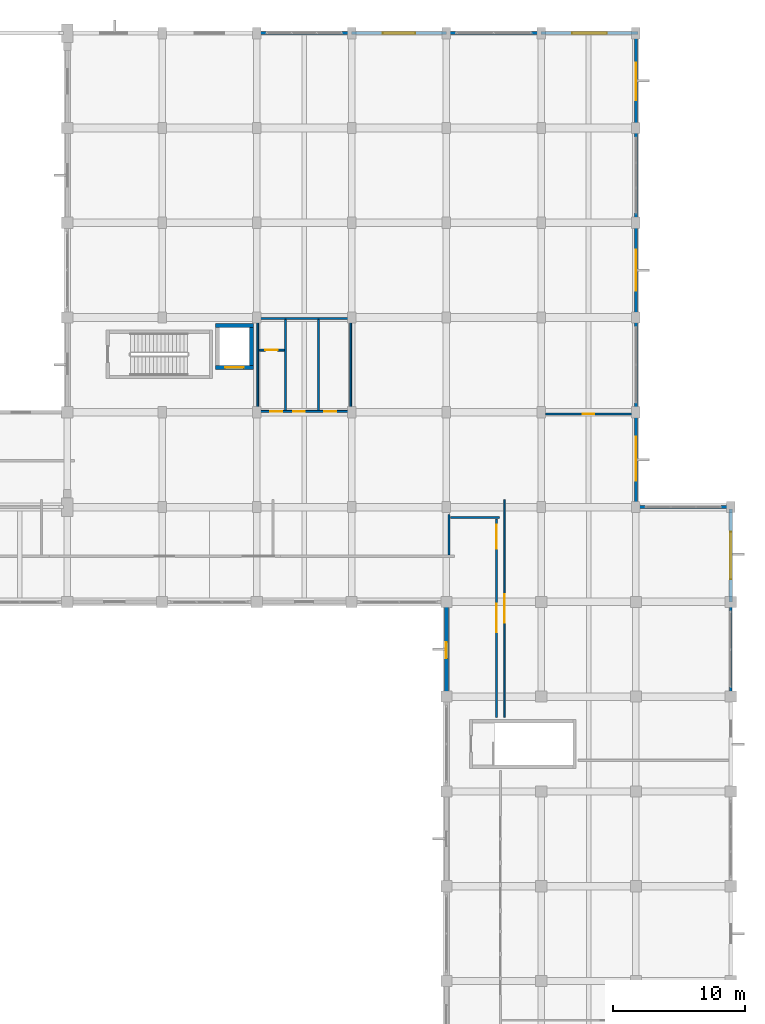
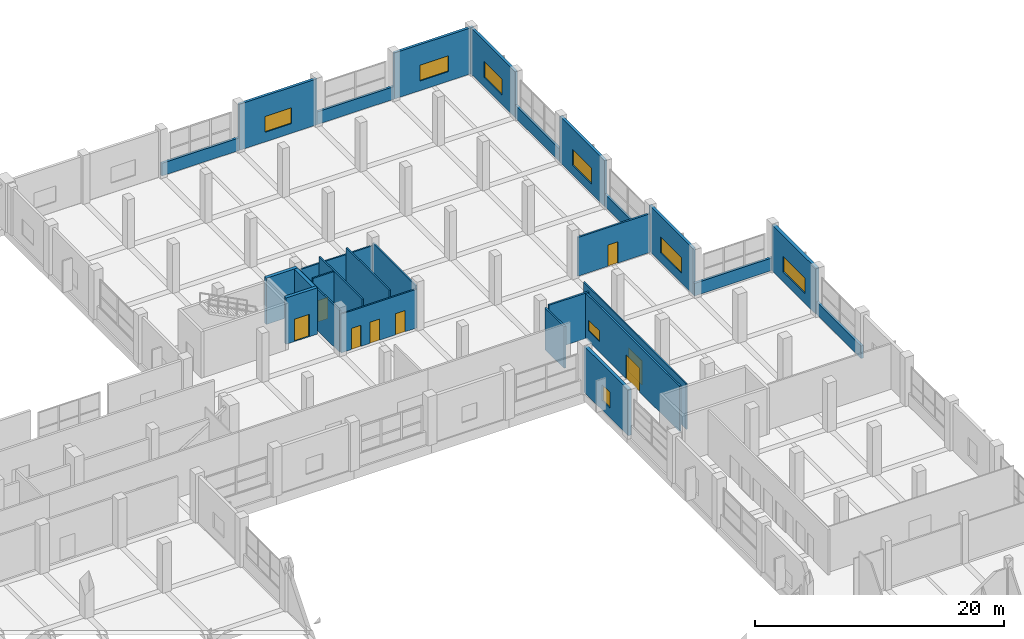
# One storey, part 167 of 181: 28 walls, 8 doors, 8 windows, 16 openings.
"""IFC4 building model written with IfcOpenShell, lengths in metres."""

from ifc_helpers import new_model, si_unit, direction, frame, frame_2d, origin, place, context, subcontext, project, spatial, rectangle, extrude, material, layer, layer_set, type_object, element, fill, save


model = new_model("IFC4")

# Units and contexts
model_context = context("Model", 3, precision=1e-05, world=origin(), true_north=direction((0.0, 1.0)))
body_context = subcontext(model_context, "Body", "Model", "MODEL_VIEW")
ifc_project = project(units=[si_unit("LENGTHUNIT", "METRE"), si_unit("AREAUNIT", "SQUARE_METRE"), si_unit("VOLUMEUNIT", "CUBIC_METRE"), si_unit("PLANEANGLEUNIT", "RADIAN"), si_unit("MASSUNIT", "GRAM", prefix="KILO")], contexts=[model_context])

# Site, building, storey
site_placement = place(None, origin())
site = spatial("IfcSite", under=ifc_project, at=site_placement, CompositionType="ELEMENT")
building_placement = place(site_placement, origin())
building = spatial("IfcBuilding", under=site, at=building_placement, Name="Seraya Terrace Polytechnic", CompositionType="ELEMENT")
storey_placement = place(building_placement, frame((0.0, 0.0, 4.800048828125)))
storey = spatial("IfcBuildingStorey", under=building, at=storey_placement, Name="L01", CompositionType="ELEMENT", Elevation=4.800048828125)

# Wall, opening, window
ifc_material_1 = material(Name="Concrete C40/50", Category="concrete")
ifc_layer_1 = layer(ifc_material_1, 0.300048828125, Name="EW-01")
ifc_layer_set_1 = layer_set([ifc_layer_1], Name="Concrete C40/50")
wall_type_1 = type_object("IfcWallType", Name="EW-01", PredefinedType="SOLIDWALL", material=ifc_layer_set_1)
wall_1_placement = place(storey_placement, frame((165.60009765625, 79.048095703125, 0.0), z_axis=(0.0, 0.0, 1.0), x_axis=(0.0, -1.0, 0.0)))
wall_1 = element("IfcWall", 1, at=wall_1_placement, inside=storey, type_object=wall_type_1, Name="Exterior structural wall EW-01 L01", PredefinedType="SOLIDWALL", context=body_context, shape_type="SweptSolid", body=[
    extrude(rectangle(XDim=7.048095703125, YDim=0.300048828125, at=frame_2d((3.52392578125, 0.0))), origin(), (0.0, 0.0, 1.0), 4.52001953125),
])
opening_1_placement = place(wall_1_placement, frame((1.72412109375, 0.0, 0.949951171875)))
opening_1 = element("IfcOpeningElement", 2, at=opening_1_placement, cuts=wall_1, Name="Opening WN-26", PredefinedType="OPENING", context=body_context, shape_type="SweptSolid", body=[
    extrude(rectangle(XDim=3.60009765625, YDim=1.550048828125, at=frame_2d((1.800048828125, 0.77490234375))), frame((0.0, 0.162109375, 0.0), z_axis=(0.0, -1.0, 0.0), x_axis=(1.0, 0.0, 0.0)), (0.0, 0.0, 1.0), 0.323974609375),
])
ifc_material_2 = material(Name="Laminated solar-control Low-E double glazing", Category="glass")
window_type_1 = type_object("IfcWindowType", Name="WN-26", PartitioningType="SINGLE_PANEL", PredefinedType="WINDOW", material=ifc_material_2)
window_1_placement = place(opening_1_placement, origin())
window_1 = element("IfcWindow", 3, at=window_1_placement, inside=storey, type_object=window_type_1, Name="Exterior window WN-26 L01", OverallHeight=1.550048828125, OverallWidth=3.60009765625, PartitioningType="SINGLE_PANEL", PredefinedType="WINDOW", context=body_context, shape_type="SweptSolid", body=[
    extrude(rectangle(XDim=3.60009765625, YDim=1.550048828125, at=frame_2d((1.800048828125, 0.77490234375))), frame((0.0, 0.030029296875, 0.0), z_axis=(0.0, -1.0, 0.0), x_axis=(1.0, 0.0, 0.0)), (0.0, 0.0, 1.0), 0.06005859375),
])
fill(opening_1, window_1)

wall_2_placement = place(storey_placement, frame((144.0, 64.800048828125, 0.0), z_axis=(0.0, 0.0, 1.0), x_axis=(0.0, 1.0, 0.0)))
wall_2 = element("IfcWall", 4, at=wall_2_placement, inside=storey, type_object=wall_type_1, Name="Exterior structural wall EW-01 L01", PredefinedType="SOLIDWALL", context=body_context, shape_type="SweptSolid", body=[
    extrude(rectangle(XDim=7.0478515625, YDim=0.300048828125, at=frame_2d((3.52392578125, 0.0))), origin(), (0.0, 0.0, 1.0), 4.52001953125),
])
opening_2_placement = place(wall_2_placement, frame((2.89892578125, 0.0, 0.949951171875)))
opening_2 = element("IfcOpeningElement", 5, at=opening_2_placement, cuts=wall_2, Name="Opening WN-14", PredefinedType="OPENING", context=body_context, shape_type="SweptSolid", body=[
    extrude(rectangle(XDim=1.25, YDim=1.550048828125, at=frame_2d((0.625, 0.77490234375))), frame((0.0, 0.162109375, 0.0), z_axis=(0.0, -1.0, 0.0), x_axis=(1.0, 0.0, 0.0)), (0.0, 0.0, 1.0), 0.323974609375),
])
window_type_2 = type_object("IfcWindowType", Name="WN-14", PartitioningType="SINGLE_PANEL", PredefinedType="WINDOW", material=ifc_material_2)
window_2_placement = place(opening_2_placement, origin())
window_2 = element("IfcWindow", 6, at=window_2_placement, inside=storey, type_object=window_type_2, Name="Exterior window WN-14 L01", OverallHeight=1.550048828125, OverallWidth=1.25, PartitioningType="SINGLE_PANEL", PredefinedType="WINDOW", context=body_context, shape_type="SweptSolid", body=[
    extrude(rectangle(XDim=1.25, YDim=1.550048828125, at=frame_2d((0.625, 0.77490234375))), frame((0.0, 0.030029296875, 0.0), z_axis=(0.0, -1.0, 0.0), x_axis=(1.0, 0.0, 0.0)), (0.0, 0.0, 1.0), 0.06005859375),
])
fill(opening_2, window_2)

ifc_layer_2 = layer(ifc_material_1, 0.239990234375, Name="EW-04")
ifc_layer_set_2 = layer_set([ifc_layer_2], Name="Concrete C40/50")
wall_type_2 = type_object("IfcWallType", Name="EW-04", PredefinedType="SOLIDWALL", material=ifc_layer_set_2)
wall_3_placement = place(storey_placement, frame((136.800048828125, 115.199951171875, 0.0), z_axis=(0.0, 0.0, 1.0), x_axis=(1.0, 0.0, 0.0)))
wall_3 = element("IfcWall", 7, at=wall_3_placement, inside=storey, type_object=wall_type_2, Name="Exterior structural wall EW-04 L01", PredefinedType="SOLIDWALL", context=body_context, shape_type="SweptSolid", body=[
    extrude(rectangle(XDim=7.199951171875, YDim=0.239990234375, at=frame_2d((3.60009765625, 0.0))), origin(), (0.0, 0.0, 1.0), 4.52001953125),
])
opening_3_placement = place(wall_3_placement, frame((2.375, 0.0, 0.949951171875)))
opening_3 = element("IfcOpeningElement", 8, at=opening_3_placement, cuts=wall_3, Name="Opening WN-21", PredefinedType="OPENING", context=body_context, shape_type="SweptSolid", body=[
    extrude(rectangle(XDim=2.449951171875, YDim=1.550048828125, at=frame_2d((1.22509765625, 0.77490234375))), frame((0.0, 0.1318359375, 0.0), z_axis=(0.0, -1.0, 0.0), x_axis=(1.0, 0.0, 0.0)), (0.0, 0.0, 1.0), 0.263916015625),
])
window_type_3 = type_object("IfcWindowType", Name="WN-21", PartitioningType="SINGLE_PANEL", PredefinedType="WINDOW", material=ifc_material_2)
window_3_placement = place(opening_3_placement, origin())
window_3 = element("IfcWindow", 9, at=window_3_placement, inside=storey, type_object=window_type_3, Name="Exterior window WN-21 L01", OverallHeight=1.550048828125, OverallWidth=2.449951171875, PartitioningType="SINGLE_PANEL", PredefinedType="WINDOW", context=body_context, shape_type="SweptSolid", body=[
    extrude(rectangle(XDim=2.449951171875, YDim=1.550048828125, at=frame_2d((1.22509765625, 0.77490234375))), frame((0.0, 0.030029296875, 0.0), z_axis=(0.0, -1.0, 0.0), x_axis=(1.0, 0.0, 0.0)), (0.0, 0.0, 1.0), 0.06005859375),
])
fill(opening_3, window_3)

wall_4_placement = place(storey_placement, frame((151.199951171875, 115.199951171875, 0.0), z_axis=(0.0, 0.0, 1.0), x_axis=(1.0, 0.0, 0.0)))
wall_4 = element("IfcWall", 10, at=wall_4_placement, inside=storey, type_object=wall_type_2, Name="Exterior structural wall EW-04 L01", PredefinedType="SOLIDWALL", context=body_context, shape_type="SweptSolid", body=[
    extrude(rectangle(XDim=7.35009765625, YDim=0.239990234375, at=frame_2d((3.675048828125, 0.0))), origin(), (0.0, 0.0, 1.0), 4.52001953125),
])
opening_4_placement = place(wall_4_placement, frame((2.35009765625, 0.0, 0.949951171875)))
opening_4 = element("IfcOpeningElement", 11, at=opening_4_placement, cuts=wall_4, Name="Opening WN-22", PredefinedType="OPENING", context=body_context, shape_type="SweptSolid", body=[
    extrude(rectangle(XDim=2.64990234375, YDim=1.550048828125, at=frame_2d((1.324951171875, 0.77490234375))), frame((0.0, 0.1318359375, 0.0), z_axis=(0.0, -1.0, 0.0), x_axis=(1.0, 0.0, 0.0)), (0.0, 0.0, 1.0), 0.263916015625),
])
window_type_4 = type_object("IfcWindowType", Name="WN-22", PartitioningType="SINGLE_PANEL", PredefinedType="WINDOW", material=ifc_material_2)
window_4_placement = place(opening_4_placement, origin())
window_4 = element("IfcWindow", 12, at=window_4_placement, inside=storey, type_object=window_type_4, Name="Exterior window WN-22 L01", OverallHeight=1.550048828125, OverallWidth=2.64990234375, PartitioningType="SINGLE_PANEL", PredefinedType="WINDOW", context=body_context, shape_type="SweptSolid", body=[
    extrude(rectangle(XDim=2.64990234375, YDim=1.550048828125, at=frame_2d((1.324951171875, 0.77490234375))), frame((0.0, 0.030029296875, 0.0), z_axis=(0.0, -1.0, 0.0), x_axis=(1.0, 0.0, 0.0)), (0.0, 0.0, 1.0), 0.06005859375),
])
fill(opening_4, window_4)

wall_5_placement = place(storey_placement, frame((158.39990234375, 115.048095703125, 0.0), z_axis=(0.0, 0.0, 1.0), x_axis=(0.0, -1.0, 0.0)))
wall_5 = element("IfcWall", 13, at=wall_5_placement, inside=storey, type_object=wall_type_2, Name="Exterior structural wall EW-04 L01", PredefinedType="SOLIDWALL", context=body_context, shape_type="SweptSolid", body=[
    extrude(rectangle(XDim=7.048095703125, YDim=0.239990234375, at=frame_2d((3.52392578125, 0.0))), origin(), (0.0, 0.0, 1.0), 4.52001953125),
])
opening_5_placement = place(wall_5_placement, frame((2.09912109375, 0.0, 0.949951171875)))
opening_5 = element("IfcOpeningElement", 14, at=opening_5_placement, cuts=wall_5, Name="Opening WN-23", PredefinedType="OPENING", context=body_context, shape_type="SweptSolid", body=[
    extrude(rectangle(XDim=2.85009765625, YDim=1.550048828125, at=frame_2d((1.425048828125, 0.77490234375))), frame((0.0, 0.1318359375, 0.0), z_axis=(0.0, -1.0, 0.0), x_axis=(1.0, 0.0, 0.0)), (0.0, 0.0, 1.0), 0.263916015625),
])
window_type_5 = type_object("IfcWindowType", Name="WN-23", PartitioningType="SINGLE_PANEL", PredefinedType="WINDOW", material=ifc_material_2)
window_5_placement = place(opening_5_placement, origin())
window_5 = element("IfcWindow", 15, at=window_5_placement, inside=storey, type_object=window_type_5, Name="Exterior window WN-23 L01", OverallHeight=1.550048828125, OverallWidth=2.85009765625, PartitioningType="SINGLE_PANEL", PredefinedType="WINDOW", context=body_context, shape_type="SweptSolid", body=[
    extrude(rectangle(XDim=2.85009765625, YDim=1.550048828125, at=frame_2d((1.425048828125, 0.77490234375))), frame((0.0, 0.030029296875, 0.0), z_axis=(0.0, -1.0, 0.0), x_axis=(1.0, 0.0, 0.0)), (0.0, 0.0, 1.0), 0.06005859375),
])
fill(opening_5, window_5)

wall_6_placement = place(storey_placement, frame((158.39990234375, 100.800048828125, 0.0), z_axis=(0.0, 0.0, 1.0), x_axis=(0.0, -1.0, 0.0)))
wall_6 = element("IfcWall", 16, at=wall_6_placement, inside=storey, type_object=wall_type_2, Name="Exterior structural wall EW-04 L01", PredefinedType="SOLIDWALL", context=body_context, shape_type="SweptSolid", body=[
    extrude(rectangle(XDim=7.199951171875, YDim=0.239990234375, at=frame_2d((3.60009765625, 0.0))), origin(), (0.0, 0.0, 1.0), 4.52001953125),
])
opening_6_placement = place(wall_6_placement, frame((2.050048828125, 0.0, 0.949951171875)))
opening_6 = element("IfcOpeningElement", 17, at=opening_6_placement, cuts=wall_6, Name="Opening WN-24", PredefinedType="OPENING", context=body_context, shape_type="SweptSolid", body=[
    extrude(rectangle(XDim=3.10009765625, YDim=1.550048828125, at=frame_2d((1.550048828125, 0.77490234375))), frame((0.0, 0.1318359375, 0.0), z_axis=(0.0, -1.0, 0.0), x_axis=(1.0, 0.0, 0.0)), (0.0, 0.0, 1.0), 0.263916015625),
])
window_type_6 = type_object("IfcWindowType", Name="WN-24", PartitioningType="SINGLE_PANEL", PredefinedType="WINDOW", material=ifc_material_2)
window_6_placement = place(opening_6_placement, origin())
window_6 = element("IfcWindow", 18, at=window_6_placement, inside=storey, type_object=window_type_6, Name="Exterior window WN-24 L01", OverallHeight=1.550048828125, OverallWidth=3.10009765625, PartitioningType="SINGLE_PANEL", PredefinedType="WINDOW", context=body_context, shape_type="SweptSolid", body=[
    extrude(rectangle(XDim=3.10009765625, YDim=1.550048828125, at=frame_2d((1.550048828125, 0.77490234375))), frame((0.0, 0.030029296875, 0.0), z_axis=(0.0, -1.0, 0.0), x_axis=(1.0, 0.0, 0.0)), (0.0, 0.0, 1.0), 0.06005859375),
])
fill(opening_6, window_6)

wall_7_placement = place(storey_placement, frame((158.39990234375, 86.39990234375, 0.0), z_axis=(0.0, 0.0, 1.0), x_axis=(0.0, -1.0, 0.0)))
wall_7 = element("IfcWall", 19, at=wall_7_placement, inside=storey, type_object=wall_type_2, Name="Exterior structural wall EW-04 L01", PredefinedType="SOLIDWALL", context=body_context, shape_type="SweptSolid", body=[
    extrude(rectangle(XDim=7.0478515625, YDim=0.239990234375, at=frame_2d((3.52392578125, 0.0))), origin(), (0.0, 0.0, 1.0), 4.52001953125),
])
opening_7_placement = place(wall_7_placement, frame((1.84912109375, 0.0, 0.949951171875)))
opening_7 = element("IfcOpeningElement", 20, at=opening_7_placement, cuts=wall_7, Name="Opening WN-25", PredefinedType="OPENING", context=body_context, shape_type="SweptSolid", body=[
    extrude(rectangle(XDim=3.35009765625, YDim=1.550048828125, at=frame_2d((1.675048828125, 0.77490234375))), frame((0.0, 0.1318359375, 0.0), z_axis=(0.0, -1.0, 0.0), x_axis=(1.0, 0.0, 0.0)), (0.0, 0.0, 1.0), 0.263916015625),
])
window_type_7 = type_object("IfcWindowType", Name="WN-25", PartitioningType="SINGLE_PANEL", PredefinedType="WINDOW", material=ifc_material_2)
window_7_placement = place(opening_7_placement, origin())
window_7 = element("IfcWindow", 21, at=window_7_placement, inside=storey, type_object=window_type_7, Name="Exterior window WN-25 L01", OverallHeight=1.550048828125, OverallWidth=3.35009765625, PartitioningType="SINGLE_PANEL", PredefinedType="WINDOW", context=body_context, shape_type="SweptSolid", body=[
    extrude(rectangle(XDim=3.35009765625, YDim=1.550048828125, at=frame_2d((1.675048828125, 0.77490234375))), frame((0.0, 0.030029296875, 0.0), z_axis=(0.0, -1.0, 0.0), x_axis=(1.0, 0.0, 0.0)), (0.0, 0.0, 1.0), 0.06005859375),
])
fill(opening_7, window_7)

# Walls
ifc_material_3 = material(Name="Precast concrete C40/50", Category="concrete")
ifc_layer_3 = layer(ifc_material_3, 0.219970703125, Name="EW-05")
ifc_layer_set_3 = layer_set([ifc_layer_3], Name="Precast concrete C40/50")
wall_type_3 = type_object("IfcWallType", Name="EW-05", PredefinedType="SOLIDWALL", material=ifc_layer_set_3)
for number, where, z_axis, x_axis, name in (
    (22, (129.60009765625, 115.199951171875, 0.0), (0.0, 0.0, 1.0), (1.0, 0.0, 0.0), "Precast spandrel wall L01"),
    (23, (144.0, 115.199951171875, 0.0), (0.0, 0.0, 1.0), (1.0, 0.0, 0.0), "Precast spandrel wall L01"),
    (24, (158.39990234375, 108.0, 0.0), (0.0, 0.0, 1.0), (0.0, -1.0, 0.0), "Precast spandrel wall L01"),
):
    element("IfcWall", number, at=place(storey_placement, frame(where, z_axis=z_axis, x_axis=x_axis)), inside=storey, type_object=wall_type_3, Name=name, PredefinedType="SOLIDWALL", context=body_context, shape_type="SweptSolid", body=[
        extrude(rectangle(XDim=7.199951171875, YDim=0.219970703125, at=frame_2d((3.60009765625, 0.0))), origin(), (0.0, 0.0, 1.0), 1.239990234375),
    ])
wall_8_placement = place(storey_placement, frame((158.39990234375, 93.60009765625, 0.0), z_axis=(0.0, 0.0, 1.0), x_axis=(0.0, -1.0, 0.0)))
element("IfcWall", 25, at=wall_8_placement, inside=storey, type_object=wall_type_3, Name="Precast spandrel wall L01", PredefinedType="SOLIDWALL", context=body_context, shape_type="SweptSolid", body=[
    extrude(rectangle(XDim=7.2001953125, YDim=0.219970703125, at=frame_2d((3.60009765625, 0.0))), origin(), (0.0, 0.0, 1.0), 1.239990234375),
])
wall_9_placement = place(storey_placement, frame((158.25, 79.199951171875, 0.0), z_axis=(0.0, 0.0, 1.0), x_axis=(1.0, 0.0, 0.0)))
element("IfcWall", 26, at=wall_9_placement, inside=storey, type_object=wall_type_3, Name="Precast spandrel wall L01", PredefinedType="SOLIDWALL", context=body_context, shape_type="SweptSolid", body=[
    extrude(rectangle(XDim=7.5, YDim=0.219970703125, at=frame_2d((3.75, 0.0))), origin(), (0.0, 0.0, 1.0), 1.239990234375),
])
wall_10_placement = place(storey_placement, frame((165.60009765625, 72.0, 0.0), z_axis=(0.0, 0.0, 1.0), x_axis=(0.0, -1.0, 0.0)))
element("IfcWall", 27, at=wall_10_placement, inside=storey, type_object=wall_type_3, Name="Precast spandrel wall L01", PredefinedType="SOLIDWALL", context=body_context, shape_type="SweptSolid", body=[
    extrude(rectangle(XDim=7.199951171875, YDim=0.219970703125, at=frame_2d((3.60009765625, 0.0))), origin(), (0.0, 0.0, 1.0), 1.239990234375),
])

# Wall, opening, door
ifc_material_4 = material(Name="Autoclaved aerated concrete blockwork", Category="masonry")
ifc_layer_4 = layer(ifc_material_4, 0.169921875, Name="PT-02")
ifc_layer_set_4 = layer_set([ifc_layer_4], Name="Autoclaved aerated concrete blockwork")
wall_type_4 = type_object("IfcWallType", Name="PT-02", PredefinedType="PARTITIONING", material=ifc_layer_set_4)
wall_11_placement = place(storey_placement, frame((151.534912109375, 86.27490234375, 0.0), z_axis=(0.0, 0.0, 1.0), x_axis=(1.0, 0.0, 0.0)))
wall_11 = element("IfcWall", 28, at=wall_11_placement, inside=storey, type_object=wall_type_4, Name="Internal partition PT-02 L01", PredefinedType="PARTITIONING", context=body_context, shape_type="SweptSolid", body=[
    extrude(rectangle(XDim=6.733154296875, YDim=0.169921875, at=frame_2d((3.36669921875, 0.0))), origin(), (0.0, 0.0, 1.0), 3.800048828125),
])
opening_8_placement = place(wall_11_placement, frame((2.81494140625, 0.0, 0.0)))
opening_8 = element("IfcOpeningElement", 29, at=opening_8_placement, cuts=wall_11, Name="Opening ID-02", PredefinedType="OPENING", context=body_context, shape_type="SweptSolid", body=[
    extrude(rectangle(XDim=0.89990234375, YDim=2.080078125, at=frame_2d((0.449951171875, 1.0400390625))), frame((0.0, 0.096923828125, 0.0), z_axis=(0.0, -1.0, 0.0), x_axis=(1.0, 0.0, 0.0)), (0.0, 0.0, 1.0), 0.19384765625),
])
ifc_material_5 = material(Name="Malaysian dark red meranti hardwood timber D40", Category="wood")
door_type_1 = type_object("IfcDoorType", Name="ID-02", OperationType="NOTDEFINED", PredefinedType="DOOR", material=ifc_material_5)
door_1_placement = place(opening_8_placement, frame((0.89990234375, 0.0, 0.0), z_axis=(0.0, 0.0, 1.0), x_axis=(-1.0, 0.0, 0.0)))
door_1 = element("IfcDoor", 30, at=door_1_placement, inside=storey, type_object=door_type_1, Name="Door ID-02 DR-INT-L01-0089 in WL-INT-L01-0242", OperationType="SINGLE_SWING_RIGHT", OverallHeight=2.080078125, OverallWidth=0.89990234375, PredefinedType="DOOR", context=body_context, shape_type="SweptSolid", body=[
    extrude(rectangle(XDim=0.89990234375, YDim=2.080078125, at=frame_2d((0.449951171875, 1.0400390625))), frame((0.0, 0.02490234375, 0.0), z_axis=(0.0, -1.0, 0.0), x_axis=(1.0, 0.0, 0.0)), (0.0, 0.0, 1.0), 0.050048828125),
])
fill(opening_8, door_1)

# Walls
wall_12_placement = place(storey_placement, frame((144.199951171875, 75.570068359375, 0.0), z_axis=(0.0, 0.0, 1.0), x_axis=(0.0, 1.0, 0.0)))
element("IfcWall", 31, at=wall_12_placement, inside=storey, type_object=wall_type_4, Name="Internal partition PT-02 L01", PredefinedType="PARTITIONING", context=body_context, shape_type="SweptSolid", body=[
    extrude(rectangle(XDim=3.06982421875, YDim=0.169921875, at=frame_2d((1.534912109375, 0.0))), origin(), (0.0, 0.0, 1.0), 4.079833984375),
])
wall_13_placement = place(storey_placement, frame((144.300048828125, 78.39990234375, 0.0), z_axis=(0.0, 0.0, 1.0), x_axis=(1.0, 0.0, 0.0)))
element("IfcWall", 32, at=wall_13_placement, inside=storey, type_object=wall_type_4, Name="Internal partition PT-02 L01", PredefinedType="PARTITIONING", context=body_context, shape_type="SweptSolid", body=[
    extrude(rectangle(XDim=3.739990234375, YDim=0.169921875, at=frame_2d((1.8701171875, 0.0))), origin(), (0.0, 0.0, 1.0), 4.4599609375),
])

# Wall, openings, door, window
wall_14_placement = place(storey_placement, frame((147.800048828125, 63.22998046875, 0.0), z_axis=(0.0, 0.0, 1.0), x_axis=(0.0, 1.0, 0.0)))
wall_14 = element("IfcWall", 33, at=wall_14_placement, inside=storey, type_object=wall_type_4, Name="Internal partition PT-02 L01", PredefinedType="PARTITIONING", context=body_context, shape_type="SweptSolid", body=[
    extrude(rectangle(XDim=15.070068359375, YDim=0.169921875, at=frame_2d((7.53515625, 0.0))), origin(), (0.0, 0.0, 1.0), 4.4599609375),
])
opening_9_placement = place(wall_14_placement, frame((6.455078125, 0.0, 0.0)))
opening_9 = element("IfcOpeningElement", 34, at=opening_9_placement, cuts=wall_14, Name="Opening ID-18", PredefinedType="OPENING", context=body_context, shape_type="SweptSolid", body=[
    extrude(rectangle(XDim=2.159912109375, YDim=2.35009765625, at=frame_2d((1.080078125, 1.175048828125))), frame((0.0, 0.096923828125, 0.0), z_axis=(0.0, -1.0, 0.0), x_axis=(1.0, 0.0, 0.0)), (0.0, 0.0, 1.0), 0.19384765625),
])
opening_10_placement = place(wall_14_placement, frame((12.820068359375, 0.0, 1.050048828125)))
opening_10 = element("IfcOpeningElement", 35, at=opening_10_placement, cuts=wall_14, Name="Opening IW-02", PredefinedType="OPENING", context=body_context, shape_type="SweptSolid", body=[
    extrude(rectangle(XDim=1.800048828125, YDim=1.050048828125, at=frame_2d((0.89990234375, 0.52490234375))), frame((0.0, 0.096923828125, 0.0), z_axis=(0.0, -1.0, 0.0), x_axis=(1.0, 0.0, 0.0)), (0.0, 0.0, 1.0), 0.19384765625),
])
door_type_2 = type_object("IfcDoorType", Name="ID-18", OperationType="DOUBLE_DOOR_SINGLE_SWING", PredefinedType="DOOR", material=ifc_material_5)
door_2_placement = place(opening_9_placement, frame((2.159912109375, 0.0, 0.0), z_axis=(0.0, 0.0, 1.0), x_axis=(-1.0, 0.0, 0.0)))
door_2 = element("IfcDoor", 36, at=door_2_placement, inside=storey, type_object=door_type_2, Name="Door ID-18 DR-INT-L01-0079 in WL-INT-L01-0321", OperationType="DOUBLE_DOOR_SINGLE_SWING", OverallHeight=2.35009765625, OverallWidth=2.159912109375, PredefinedType="DOOR", context=body_context, shape_type="SweptSolid", body=[
    extrude(rectangle(XDim=2.159912109375, YDim=2.35009765625, at=frame_2d((1.080078125, 1.175048828125))), frame((0.0, 0.02490234375, 0.0), z_axis=(0.0, -1.0, 0.0), x_axis=(1.0, 0.0, 0.0)), (0.0, 0.0, 1.0), 0.050048828125),
])
fill(opening_9, door_2)
window_type_8 = type_object("IfcWindowType", Name="IW-02", PartitioningType="SINGLE_PANEL", PredefinedType="WINDOW", material=ifc_material_2)
window_8_placement = place(opening_10_placement, origin())
window_8 = element("IfcWindow", 37, at=window_8_placement, inside=storey, type_object=window_type_8, Name="Internal lab vision window IW-02 L01", OverallHeight=1.050048828125, OverallWidth=1.800048828125, PartitioningType="SINGLE_PANEL", PredefinedType="WINDOW", context=body_context, shape_type="SweptSolid", body=[
    extrude(rectangle(XDim=1.800048828125, YDim=1.050048828125, at=frame_2d((0.89990234375, 0.52490234375))), frame((0.0, 0.030029296875, 0.0), z_axis=(0.0, -1.0, 0.0), x_axis=(1.0, 0.0, 0.0)), (0.0, 0.0, 1.0), 0.06005859375),
])
fill(opening_10, window_8)

# Wall, openings, doors
ifc_layer_5 = layer(ifc_material_4, 0.139892578125, Name="PT-04")
ifc_layer_set_5 = layer_set([ifc_layer_5], Name="Autoclaved aerated concrete blockwork")
wall_type_5 = type_object("IfcWallType", Name="PT-04", PredefinedType="PARTITIONING", material=ifc_layer_set_5)
wall_15_placement = place(storey_placement, frame((129.669921875, 86.469970703125, 0.0), z_axis=(0.0, 0.0, 1.0), x_axis=(1.0, 0.0, 0.0)))
wall_15 = element("IfcWall", 38, at=wall_15_placement, inside=storey, type_object=wall_type_5, Name="Sanitary WC-C South wall L01", PredefinedType="PARTITIONING", context=body_context, shape_type="SweptSolid", body=[
    extrude(rectangle(XDim=7.06005859375, YDim=0.139892578125, at=frame_2d((3.530029296875, 0.0))), origin(), (0.0, 0.0, 1.0), 3.800048828125),
])
opening_11_placement = place(wall_15_placement, frame((0.949951171875, 0.0, 0.0)))
opening_11 = element("IfcOpeningElement", 39, at=opening_11_placement, cuts=wall_15, Name="Opening ID-02", PredefinedType="OPENING", context=body_context, shape_type="SweptSolid", body=[
    extrude(rectangle(XDim=0.89990234375, YDim=2.080078125, at=frame_2d((0.449951171875, 1.0400390625))), frame((0.0, 0.08203125, 0.0), z_axis=(0.0, -1.0, 0.0), x_axis=(1.0, 0.0, 0.0)), (0.0, 0.0, 1.0), 0.163818359375),
])
opening_12_placement = place(wall_15_placement, frame((2.679931640625, 0.0, 0.0)))
opening_12 = element("IfcOpeningElement", 40, at=opening_12_placement, cuts=wall_15, Name="Opening ID-02", PredefinedType="OPENING", context=body_context, shape_type="SweptSolid", body=[
    extrude(rectangle(XDim=0.89990234375, YDim=2.080078125, at=frame_2d((0.449951171875, 1.0400390625))), frame((0.0, 0.08203125, 0.0), z_axis=(0.0, -1.0, 0.0), x_axis=(1.0, 0.0, 0.0)), (0.0, 0.0, 1.0), 0.163818359375),
])
opening_13_placement = place(wall_15_placement, frame((5.050048828125, 0.0, 0.0)))
opening_13 = element("IfcOpeningElement", 41, at=opening_13_placement, cuts=wall_15, Name="Opening ID-02", PredefinedType="OPENING", context=body_context, shape_type="SweptSolid", body=[
    extrude(rectangle(XDim=0.89990234375, YDim=2.080078125, at=frame_2d((0.449951171875, 1.0400390625))), frame((0.0, 0.08203125, 0.0), z_axis=(0.0, -1.0, 0.0), x_axis=(1.0, 0.0, 0.0)), (0.0, 0.0, 1.0), 0.163818359375),
])
door_3_placement = place(opening_11_placement, origin())
door_3 = element("IfcDoor", 42, at=door_3_placement, inside=storey, type_object=door_type_1, Name="Door ID-02 DR-WC-WC-C-L01-CLN in WL-WC-WC-C-L01-S", OperationType="SINGLE_SWING_LEFT", OverallHeight=2.080078125, OverallWidth=0.89990234375, PredefinedType="DOOR", context=body_context, shape_type="SweptSolid", body=[
    extrude(rectangle(XDim=0.89990234375, YDim=2.080078125, at=frame_2d((0.449951171875, 1.0400390625))), frame((0.0, 0.02490234375, 0.0), z_axis=(0.0, -1.0, 0.0), x_axis=(1.0, 0.0, 0.0)), (0.0, 0.0, 1.0), 0.050048828125),
])
fill(opening_11, door_3)
door_4_placement = place(opening_12_placement, origin())
door_4 = element("IfcDoor", 43, at=door_4_placement, inside=storey, type_object=door_type_1, Name="Door ID-02 DR-WC-WC-C-L01-M in WL-WC-WC-C-L01-S", OperationType="SINGLE_SWING_RIGHT", OverallHeight=2.080078125, OverallWidth=0.89990234375, PredefinedType="DOOR", context=body_context, shape_type="SweptSolid", body=[
    extrude(rectangle(XDim=0.89990234375, YDim=2.080078125, at=frame_2d((0.449951171875, 1.0400390625))), frame((0.0, 0.02490234375, 0.0), z_axis=(0.0, -1.0, 0.0), x_axis=(1.0, 0.0, 0.0)), (0.0, 0.0, 1.0), 0.050048828125),
])
fill(opening_12, door_4)
door_5_placement = place(opening_13_placement, origin())
door_5 = element("IfcDoor", 44, at=door_5_placement, inside=storey, type_object=door_type_1, Name="Door ID-02 DR-WC-WC-C-L01-F in WL-WC-WC-C-L01-S", OperationType="SINGLE_SWING_LEFT", OverallHeight=2.080078125, OverallWidth=0.89990234375, PredefinedType="DOOR", context=body_context, shape_type="SweptSolid", body=[
    extrude(rectangle(XDim=0.89990234375, YDim=2.080078125, at=frame_2d((0.449951171875, 1.0400390625))), frame((0.0, 0.02490234375, 0.0), z_axis=(0.0, -1.0, 0.0), x_axis=(1.0, 0.0, 0.0)), (0.0, 0.0, 1.0), 0.050048828125),
])
fill(opening_13, door_5)

# Walls
wall_16_placement = place(storey_placement, frame((129.669921875, 93.530029296875, 0.0), z_axis=(0.0, 0.0, 1.0), x_axis=(1.0, 0.0, 0.0)))
element("IfcWall", 45, at=wall_16_placement, inside=storey, type_object=wall_type_5, Name="Sanitary WC-C North wall L01", PredefinedType="PARTITIONING", context=body_context, shape_type="SweptSolid", body=[
    extrude(rectangle(XDim=7.06005859375, YDim=0.139892578125, at=frame_2d((3.530029296875, 0.0))), origin(), (0.0, 0.0, 1.0), 3.800048828125),
])
for number, where, z_axis, x_axis, name in (
    (46, (129.669921875, 86.550048828125, 0.0), (0.0, 0.0, 1.0), (0.0, 1.0, 0.0), "Sanitary WC-C West wall L01"),
    (47, (136.72998046875, 86.550048828125, 0.0), (0.0, 0.0, 1.0), (0.0, 1.0, 0.0), "Sanitary WC-C East wall L01"),
):
    element("IfcWall", number, at=place(storey_placement, frame(where, z_axis=z_axis, x_axis=x_axis)), inside=storey, type_object=wall_type_5, Name=name, PredefinedType="PARTITIONING", context=body_context, shape_type="SweptSolid", body=[
        extrude(rectangle(XDim=6.89990234375, YDim=0.139892578125, at=frame_2d((3.449951171875, 0.0))), origin(), (0.0, 0.0, 1.0), 4.079833984375),
    ])
for number, where, z_axis, x_axis, name in (
    (48, (131.780029296875, 86.550048828125, 0.0), (0.0, 0.0, 1.0), (0.0, 1.0, 0.0), "Sanitary WC-C OKU/Male divider L01"),
    (49, (134.2900390625, 86.550048828125, 0.0), (0.0, 0.0, 1.0), (0.0, 1.0, 0.0), "Sanitary WC-C Male/Female divider L01"),
):
    element("IfcWall", number, at=place(storey_placement, frame(where, z_axis=z_axis, x_axis=x_axis)), inside=storey, type_object=wall_type_5, Name=name, PredefinedType="PARTITIONING", context=body_context, shape_type="SweptSolid", body=[
        extrude(rectangle(XDim=6.89990234375, YDim=0.139892578125, at=frame_2d((3.449951171875, 0.0))), origin(), (0.0, 0.0, 1.0), 4.4599609375),
    ])

# Wall, opening, door
wall_17_placement = place(storey_placement, frame((129.75, 91.1201171875, 0.0), z_axis=(0.0, 0.0, 1.0), x_axis=(1.0, 0.0, 0.0)))
wall_17 = element("IfcWall", 50, at=wall_17_placement, inside=storey, type_object=wall_type_5, Name="Sanitary WC-C OKU/Cleaner divider L01", PredefinedType="PARTITIONING", context=body_context, shape_type="SweptSolid", body=[
    extrude(rectangle(XDim=1.949951171875, YDim=0.139892578125, at=frame_2d((0.97509765625, 0.0))), origin(), (0.0, 0.0, 1.0), 4.4599609375),
])
opening_14_placement = place(wall_17_placement, frame((0.5, 0.0, 0.0)))
opening_14 = element("IfcOpeningElement", 51, at=opening_14_placement, cuts=wall_17, Name="Opening ID-01", PredefinedType="OPENING", context=body_context, shape_type="SweptSolid", body=[
    extrude(rectangle(XDim=0.93994140625, YDim=2.10009765625, at=frame_2d((0.469970703125, 1.050048828125))), frame((0.0, 0.08203125, 0.0), z_axis=(0.0, -1.0, 0.0), x_axis=(1.0, 0.0, 0.0)), (0.0, 0.0, 1.0), 0.163818359375),
])
door_type_3 = type_object("IfcDoorType", Name="ID-01", OperationType="NOTDEFINED", PredefinedType="DOOR", material=ifc_material_5)
door_6_placement = place(opening_14_placement, frame((0.93994140625, 0.0, 0.0), z_axis=(0.0, 0.0, 1.0), x_axis=(-1.0, 0.0, 0.0)))
door_6 = element("IfcDoor", 52, at=door_6_placement, inside=storey, type_object=door_type_3, Name="Door ID-01 DR-WC-WC-C-L01-OKU in WL-WC-WC-C-L01-DH", OperationType="SINGLE_SWING_RIGHT", OverallHeight=2.10009765625, OverallWidth=0.93994140625, PredefinedType="DOOR", context=body_context, shape_type="SweptSolid", body=[
    extrude(rectangle(XDim=0.93994140625, YDim=2.10009765625, at=frame_2d((0.469970703125, 1.050048828125))), frame((0.0, 0.02490234375, 0.0), z_axis=(0.0, -1.0, 0.0), x_axis=(1.0, 0.0, 0.0)), (0.0, 0.0, 1.0), 0.050048828125),
])
fill(opening_14, door_6)

ifc_layer_6 = layer(ifc_material_4, 0.1201171875, Name="PT-05")
ifc_layer_set_6 = layer_set([ifc_layer_6], Name="Autoclaved aerated concrete blockwork")
wall_type_6 = type_object("IfcWallType", Name="PT-05", PredefinedType="PARTITIONING", material=ifc_layer_set_6)
wall_18_placement = place(storey_placement, frame((148.404296875, 63.22998046875, 0.0), z_axis=(0.0, 0.0, 1.0), x_axis=(0.0, 1.0, 0.0)))
wall_18 = element("IfcWall", 53, at=wall_18_placement, inside=storey, type_object=wall_type_6, Name="Internal partition PT-05 L01", PredefinedType="PARTITIONING", context=body_context, shape_type="SweptSolid", body=[
    extrude(rectangle(XDim=16.530029296875, YDim=0.1201171875, at=frame_2d((8.26513671875, 0.0))), origin(), (0.0, 0.0, 1.0), 4.4599609375),
])
opening_15_placement = place(wall_18_placement, frame((7.18505859375, 0.0, 0.0)))
opening_15 = element("IfcOpeningElement", 54, at=opening_15_placement, cuts=wall_18, Name="Opening ID-18", PredefinedType="OPENING", context=body_context, shape_type="SweptSolid", body=[
    extrude(rectangle(XDim=2.159912109375, YDim=2.35009765625, at=frame_2d((1.080078125, 1.175048828125))), frame((0.0, 0.072021484375, 0.0), z_axis=(0.0, -1.0, 0.0), x_axis=(1.0, 0.0, 0.0)), (0.0, 0.0, 1.0), 0.14404296875),
])
door_7_placement = place(opening_15_placement, frame((2.159912109375, 0.0, 0.0), z_axis=(0.0, 0.0, 1.0), x_axis=(-1.0, 0.0, 0.0)))
door_7 = element("IfcDoor", 55, at=door_7_placement, inside=storey, type_object=door_type_2, Name="Door ID-18 DR-INT-L01-0111 in WL-INT-L01-0383", OperationType="DOUBLE_DOOR_SINGLE_SWING", OverallHeight=2.35009765625, OverallWidth=2.159912109375, PredefinedType="DOOR", context=body_context, shape_type="SweptSolid", body=[
    extrude(rectangle(XDim=2.159912109375, YDim=2.35009765625, at=frame_2d((1.080078125, 1.175048828125))), frame((0.0, 0.02490234375, 0.0), z_axis=(0.0, -1.0, 0.0), x_axis=(1.0, 0.0, 0.0)), (0.0, 0.0, 1.0), 0.050048828125),
])
fill(opening_15, door_7)

ifc_layer_7 = layer(ifc_material_1, 0.300048828125, Name="SW-01")
ifc_layer_set_7 = layer_set([ifc_layer_7], Name="Concrete C40/50")
wall_type_7 = type_object("IfcWallType", Name="SW-01", PredefinedType="SHEAR", material=ifc_layer_set_7)
wall_19_placement = place(storey_placement, frame((126.449951171875, 89.800048828125, 0.0), z_axis=(0.0, 0.0, 1.0), x_axis=(1.0, 0.0, 0.0)))
wall_19 = element("IfcWall", 56, at=wall_19_placement, inside=storey, type_object=wall_type_7, Name="Lift shaft GL-01 South wall L01", PredefinedType="SHEAR", context=body_context, shape_type="SweptSolid", body=[
    extrude(rectangle(XDim=2.900146484375, YDim=0.300048828125, at=frame_2d((1.4501953125, 0.0))), origin(), (0.0, 0.0, 1.0), 4.550048828125),
])
opening_16_placement = place(wall_19_placement, frame((0.75, 0.0, 0.0)))
opening_16 = element("IfcOpeningElement", 57, at=opening_16_placement, cuts=wall_19, Name="Opening LD-02", PredefinedType="OPENING", context=body_context, shape_type="SweptSolid", body=[
    extrude(rectangle(XDim=1.39990234375, YDim=2.199951171875, at=frame_2d((0.699951171875, 1.10009765625))), frame((0.0, 0.162109375, 0.0), z_axis=(0.0, -1.0, 0.0), x_axis=(1.0, 0.0, 0.0)), (0.0, 0.0, 1.0), 0.323974609375),
])
ifc_material_6 = material(Name="Steel S355J2", Category="steel")
door_type_4 = type_object("IfcDoorType", Name="LD-02", OperationType="SLIDING_TO_RIGHT", PredefinedType="DOOR", material=ifc_material_6)
door_8_placement = place(opening_16_placement, frame((1.39990234375, 0.0, 0.0), z_axis=(0.0, 0.0, 1.0), x_axis=(-1.0, 0.0, 0.0)))
door_8 = element("IfcDoor", 58, at=door_8_placement, inside=storey, type_object=door_type_4, Name="Door LD-02 LD-GL-01-L01 in WL-SHF-GL-01-L01-S", OperationType="SLIDING_TO_LEFT", OverallHeight=2.199951171875, OverallWidth=1.39990234375, PredefinedType="DOOR", context=body_context, shape_type="SweptSolid", body=[
    extrude(rectangle(XDim=1.39990234375, YDim=2.199951171875, at=frame_2d((0.699951171875, 1.10009765625))), frame((0.0, 0.02490234375, 0.0), z_axis=(0.0, -1.0, 0.0), x_axis=(1.0, 0.0, 0.0)), (0.0, 0.0, 1.0), 0.050048828125),
])
fill(opening_16, door_8)

# Walls
for number, where, z_axis, x_axis, name in (
    (59, (126.449951171875, 93.0, 0.0), (0.0, 0.0, 1.0), (1.0, 0.0, 0.0), "Lift shaft GL-01 North wall L01"),
    (60, (129.199951171875, 89.949951171875, 0.0), (0.0, 0.0, 1.0), (0.0, 1.0, 0.0), "Lift shaft GL-01 East wall L01"),
):
    element("IfcWall", number, at=place(storey_placement, frame(where, z_axis=z_axis, x_axis=x_axis)), inside=storey, type_object=wall_type_7, Name=name, PredefinedType="SHEAR", context=body_context, shape_type="SweptSolid", body=[
        extrude(rectangle(XDim=2.900146484375, YDim=0.300048828125, at=frame_2d((1.4501953125, 0.0))), origin(), (0.0, 0.0, 1.0), 4.550048828125),
    ])

save(model, "model.ifc")
